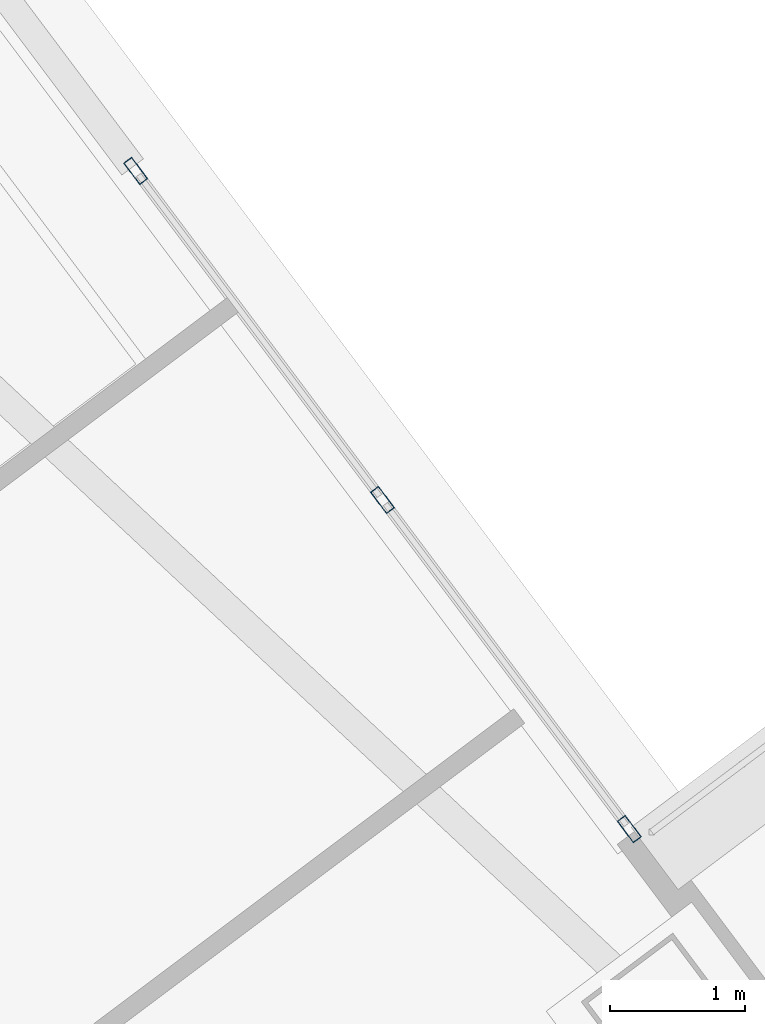
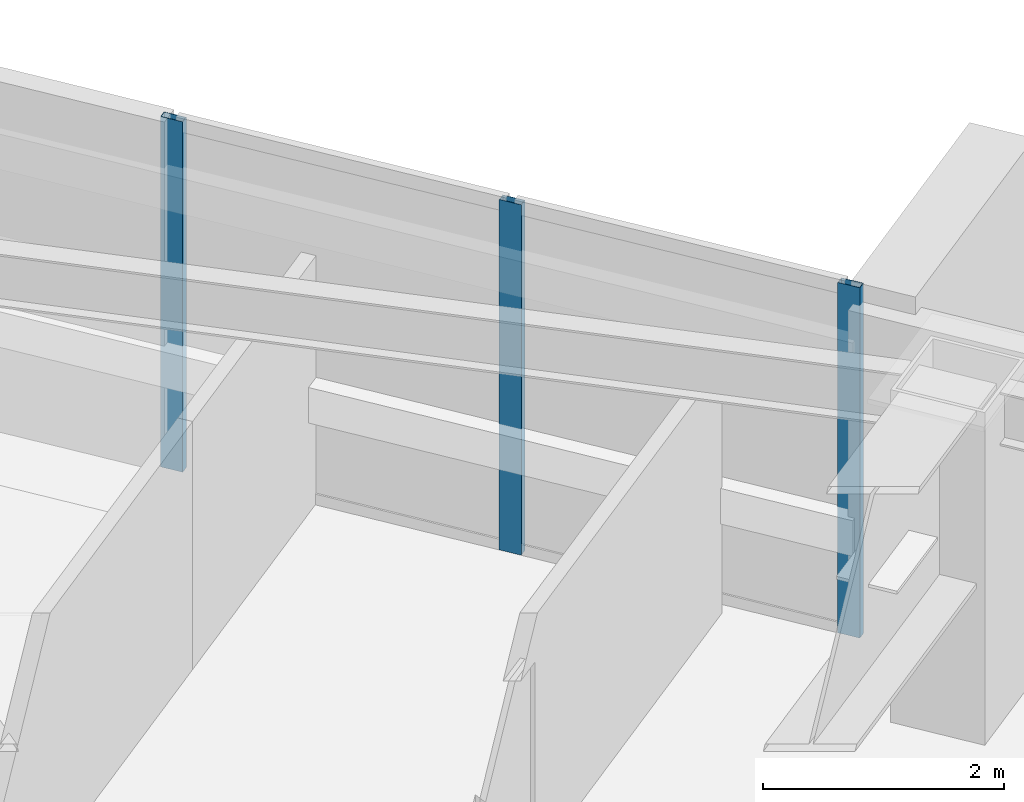
# One storey, part 29 of 42: 3 members, 1 element without a shape of its own.
"""IFC4 building model written with IfcOpenShell, lengths in metres."""

from ifc_helpers import new_model, si_unit, direction, frame, origin, origin_2d, place, context, subcontext, project, spatial, hollow_rectangle, extrude, material, material_profile, profile_set, type_object, element, aggregate, save


model = new_model("IFC4")

# Units and contexts
model_context = context("Model", 3, precision=1e-05, world=origin(), true_north=direction((0.0, 1.0)))
body_context = subcontext(model_context, "Body", "Model", "MODEL_VIEW")
ifc_project = project(units=[si_unit("LENGTHUNIT", "METRE"), si_unit("AREAUNIT", "SQUARE_METRE"), si_unit("VOLUMEUNIT", "CUBIC_METRE"), si_unit("PLANEANGLEUNIT", "RADIAN"), si_unit("MASSUNIT", "GRAM", prefix="KILO")], contexts=[model_context])

# Site, building, storey
site_placement = place(None, origin())
site = spatial("IfcSite", under=ifc_project, at=site_placement, CompositionType="ELEMENT")
building_placement = place(site_placement, origin())
building = spatial("IfcBuilding", under=site, at=building_placement, Name="Tashvorn Skyway Center", CompositionType="ELEMENT")
storey_placement = place(building_placement, frame((0.0, 0.0, 153.449951171875)))
storey = spatial("IfcBuildingStorey", under=building, at=storey_placement, Name="L41", CompositionType="ELEMENT", Elevation=153.449951171875)

# Curtain wall, members
ifc_material = material(Name="Thermally broken bronze-anodized aluminium 6063-T6", Category="aluminium")
curtain_wall_type = type_object("IfcCurtainWallType", Name="CW-CW-Z3", PredefinedType="NOTDEFINED", material=ifc_material)
curtain_wall_placement = place(storey_placement, origin())
curtain_wall = element("IfcCurtainWall", 1, at=curtain_wall_placement, inside=storey, type_object=curtain_wall_type, Name="Tower 2 L41 East Curtain Wall L Glazing Group 1", PredefinedType="NOTDEFINED")
ifc_material_profile = material_profile(ifc_material, hollow_rectangle(XDim=0.074951171875, YDim=0.199951171875, WallThickness=0.00439453125, at=origin_2d()), Name="ALU-MULL-75x200")
ifc_profile_set = profile_set([ifc_material_profile], Name="Thermally broken bronze-anodized aluminium 6063-T6")
member_type = type_object("IfcMemberType", Name="CWM-CW-Z3", PredefinedType="MULLION", material=ifc_profile_set)
member_1_placement = place(storey_placement, frame((120.974609375, 53.167236328125, 0.0), z_axis=(0.0, 0.0, 1.0), x_axis=(0.799998060333, 0.600002586214, 0.0)))
member_1 = element("IfcMember", 2, at=member_1_placement, type_object=member_type, Name="CW-Z3 mullion 1", PredefinedType="MULLION", context=body_context, shape_type="SweptSolid", body=[
    extrude(hollow_rectangle(XDim=0.074951171875, YDim=0.199951171875, WallThickness=0.00439453125, at=origin_2d()), origin(), (0.0, 0.0, 1.0), 3.550048828125),
])
member_2_placement = place(storey_placement, frame((122.80810546875, 50.72265625, 0.0), z_axis=(0.0, 0.0, 1.0), x_axis=(0.799998060333, 0.600002586214, 0.0)))
member_2 = element("IfcMember", 3, at=member_2_placement, type_object=member_type, Name="CW-Z3 mullion 2", PredefinedType="MULLION", context=body_context, shape_type="SweptSolid", body=[
    extrude(hollow_rectangle(XDim=0.074951171875, YDim=0.199951171875, WallThickness=0.00439453125, at=origin_2d()), origin(), (0.0, 0.0, 1.0), 3.550048828125),
])
member_3_placement = place(storey_placement, frame((124.6416015625, 48.278076171875, 0.0), z_axis=(0.0, 0.0, 1.0), x_axis=(0.799998060333, 0.600002586214, 0.0)))
member_3 = element("IfcMember", 4, at=member_3_placement, type_object=member_type, Name="CW-Z3 mullion 3", PredefinedType="MULLION", context=body_context, shape_type="SweptSolid", body=[
    extrude(hollow_rectangle(XDim=0.074951171875, YDim=0.199951171875, WallThickness=0.00439453125, at=origin_2d()), origin(), (0.0, 0.0, 1.0), 3.550048828125),
])
aggregate(curtain_wall, [member_1, member_2, member_3])

save(model, "model.ifc")
